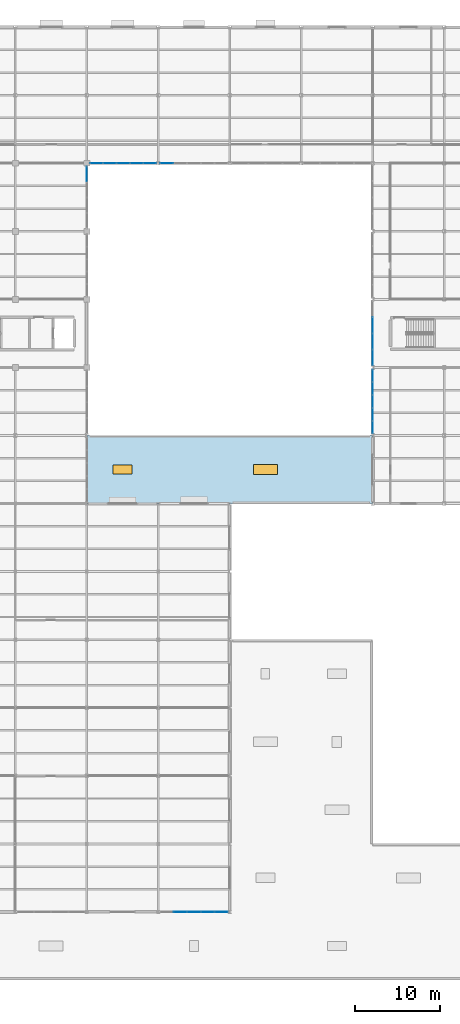
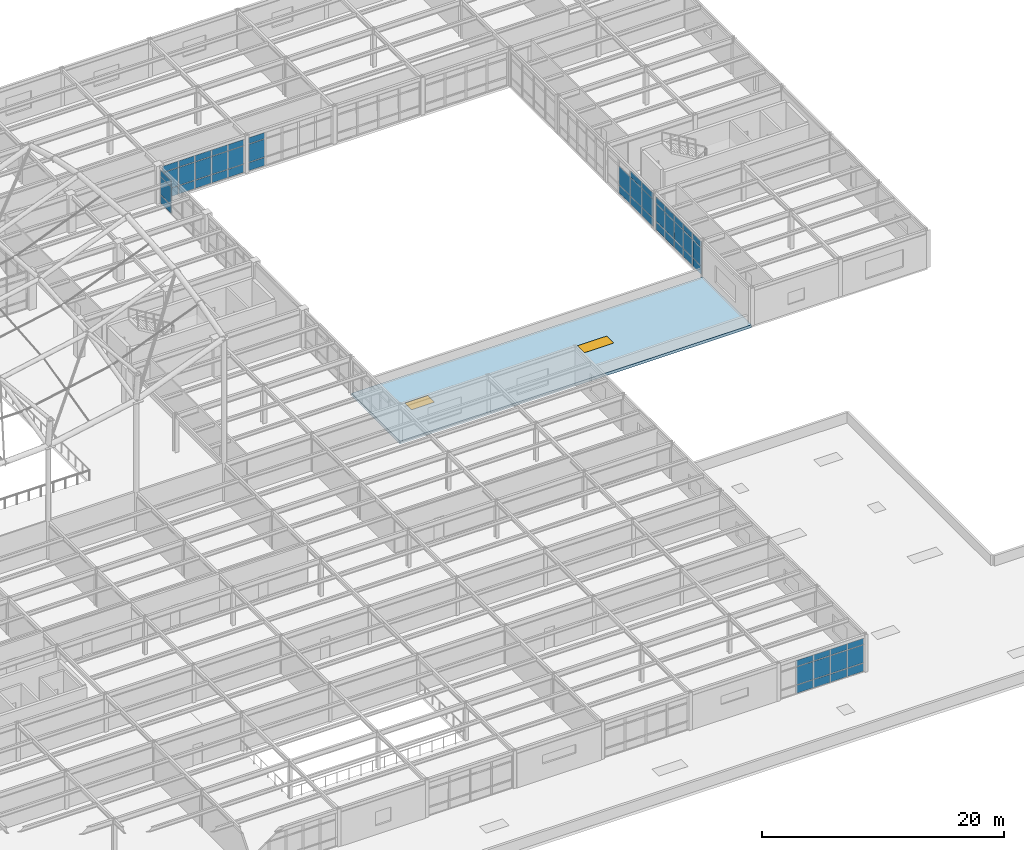
# One storey, part 64 of 138: 56 plates, 2 windows, 1 slab, 2 openings, 6 elements without a shape of their own.
"""IFC4 building model written with IfcOpenShell, lengths in metres."""

from ifc_helpers import new_model, si_unit, direction, frame, origin, origin_2d, place, context, subcontext, project, spatial, polyline, rectangle, outline, extrude, material, layer, layer_set, type_object, element, fill, aggregate, save


model = new_model("IFC4")

# Units and contexts
model_context = context("Model", 3, precision=1e-05, world=origin(), true_north=direction((0.0, 1.0)))
body_context = subcontext(model_context, "Body", "Model", "MODEL_VIEW")
ifc_project = project(units=[si_unit("LENGTHUNIT", "METRE"), si_unit("AREAUNIT", "SQUARE_METRE"), si_unit("VOLUMEUNIT", "CUBIC_METRE"), si_unit("PLANEANGLEUNIT", "RADIAN"), si_unit("MASSUNIT", "GRAM", prefix="KILO")], contexts=[model_context])

# Site, building, storey
site_placement = place(None, origin())
site = spatial("IfcSite", under=ifc_project, at=site_placement, CompositionType="ELEMENT")
building_placement = place(site_placement, origin())
building = spatial("IfcBuilding", under=site, at=building_placement, Name="Kranzveld Transit Interchange", CompositionType="ELEMENT")
storey_placement = place(building_placement, frame((0.0, 0.0, 5.43994140625)))
storey = spatial("IfcBuildingStorey", under=building, at=storey_placement, Name="L01", CompositionType="ELEMENT", Elevation=5.43994140625)

# Slab, openings, windows
ifc_material_1 = material(Name="Concrete C35/45", Category="concrete")
ifc_layer_1 = layer(ifc_material_1, 0.2900390625)
ifc_layer_set_1 = layer_set([ifc_layer_1], Name="Concrete C35/45")
slab_type = type_object("IfcSlabType", Name="Colonnade Roof Slab 290 C35/45", PredefinedType="ROOF", material=ifc_layer_set_1)
slab_placement = place(storey_placement, frame((0.0, 0.0, -0.2900390625)))
slab = element("IfcSlab", 1, at=slab_placement, inside=storey, type_object=slab_type, Name="L01 Flat Roof Slab 1", PredefinedType="ROOF", context=body_context, shape_type="SweptSolid", body=[
    extrude(outline(polyline([(134.39990234375, 56.0), (117.60009765625, 56.0), (117.60009765625, 64.0), (151.199951171875, 64.0), (151.199951171875, 56.0), (134.39990234375, 56.0)]), holes=[polyline([(120.699951171875, 59.449951171875), (122.89990234375, 59.449951171875), (122.89990234375, 60.550048828125), (120.699951171875, 60.550048828125), (120.699951171875, 59.449951171875)]), polyline([(137.199951171875, 59.425048828125), (140.0, 59.425048828125), (140.0, 60.574951171875), (137.199951171875, 60.574951171875), (137.199951171875, 59.425048828125)])]), origin(), (0.0, 0.0, 1.0), 0.2900390625),
])
opening_1_placement = place(slab_placement, frame((121.800048828125, 60.0, 0.0)))
opening_1 = element("IfcOpeningElement", 2, at=opening_1_placement, cuts=slab, Name="Opening SK-01", PredefinedType="OPENING", context=body_context, shape_type="SweptSolid", body=[
    extrude(rectangle(XDim=2.199951171875, YDim=1.10009765625, at=origin_2d()), frame((0.0, 0.0, -0.010009765625)), (0.0, 0.0, 1.0), 0.31005859375),
])
opening_2_placement = place(slab_placement, frame((138.60009765625, 60.0, 0.0)))
opening_2 = element("IfcOpeningElement", 3, at=opening_2_placement, cuts=slab, Name="Opening SK-02", PredefinedType="OPENING", context=body_context, shape_type="SweptSolid", body=[
    extrude(rectangle(XDim=2.800048828125, YDim=1.14990234375, at=origin_2d()), frame((0.0, 0.0, -0.010009765625)), (0.0, 0.0, 1.0), 0.31005859375),
])
ifc_material_2 = material(Name="Solar-control double glazing", Category="glass")
window_type_1 = type_object("IfcWindowType", Name="Roof Skylight Dome 2200x1100", PartitioningType="SINGLE_PANEL", PredefinedType="SKYLIGHT", material=ifc_material_2)
window_1_placement = place(opening_1_placement, frame((0.0, 0.0, 0.239990234375)))
window_1 = element("IfcWindow", 4, at=window_1_placement, inside=storey, type_object=window_type_1, Name="L01 Daylight Roof Skylight 01", OverallHeight=1.10009765625, OverallWidth=2.199951171875, PartitioningType="SINGLE_PANEL", PredefinedType="SKYLIGHT", context=body_context, shape_type="SweptSolid", body=[
    extrude(rectangle(XDim=2.199951171875, YDim=1.10009765625, at=origin_2d()), origin(), (0.0, 0.0, 1.0), 0.050048828125),
])
fill(opening_1, window_1)
ifc_material_3 = material(Name="Solar-control double glazing", Category="glass")
window_type_2 = type_object("IfcWindowType", Name="Roof Skylight Lantern 2800x1150", PartitioningType="DOUBLE_PANEL_VERTICAL", PredefinedType="SKYLIGHT", material=ifc_material_3)
window_2_placement = place(opening_2_placement, frame((0.0, 0.0, 0.239990234375)))
window_2 = element("IfcWindow", 5, at=window_2_placement, inside=storey, type_object=window_type_2, Name="L01 Daylight Roof Skylight 02", OverallHeight=1.14990234375, OverallWidth=2.800048828125, PartitioningType="DOUBLE_PANEL_VERTICAL", PredefinedType="SKYLIGHT", context=body_context, shape_type="SweptSolid", body=[
    extrude(rectangle(XDim=2.800048828125, YDim=1.14990234375, at=origin_2d()), origin(), (0.0, 0.0, 1.0), 0.050048828125),
])
fill(opening_2, window_2)

# Curtain wall, plates
ifc_material_4 = material(Name="Bronze-anodised thermally broken aluminium", Category="aluminium")
ifc_layer_2 = layer(ifc_material_4, 0.159912109375)
ifc_layer_set_2 = layer_set([ifc_layer_2], Name="Bronze-anodised thermally broken aluminium")
curtain_wall_type_1 = type_object("IfcCurtainWallType", Name="Bus Boarding Glazed Screen CW-3", PredefinedType="USERDEFINED", material=ifc_layer_set_2)
curtain_wall_1_placement = place(storey_placement, origin())
curtain_wall_1 = element("IfcCurtainWall", 6, at=curtain_wall_1_placement, inside=storey, type_object=curtain_wall_type_1, Name="L01 Curtain Wall 19/K-19/L", ObjectType="CURTAIN WALL", PredefinedType="USERDEFINED")
ifc_material_5 = material(Name="Solar-control double glazing", Category="glass")
ifc_layer_3 = layer(ifc_material_5, 0.031982421875)
ifc_layer_set_3 = layer_set([ifc_layer_3], Name="Solar-control double glazing")
plate_type_1 = type_object("IfcPlateType", Name="Curtain Panel Acoustic Glazing 32", PredefinedType="CURTAIN_PANEL", material=ifc_layer_set_3)
plate_1_placement = place(storey_placement, frame((151.199951171875, 73.155517578125, 0.06005859375), z_axis=(0.0, 0.0, 1.0), x_axis=(0.0, 1.0, 0.0)))
plate_1 = element("IfcPlate", 7, at=plate_1_placement, type_object=plate_type_1, Name="CW-3 panel 1.1", PredefinedType="CURTAIN_PANEL", context=body_context, shape_type="SweptSolid", body=[
    extrude(rectangle(XDim=1.81640625, YDim=0.031982421875, at=origin_2d()), origin(), (0.0, 0.0, 1.0), 0.81005859375),
])
plate_2_placement = place(storey_placement, frame((151.199951171875, 73.155517578125, 0.93017578125), z_axis=(0.0, 0.0, 1.0), x_axis=(0.0, 1.0, 0.0)))
plate_2 = element("IfcPlate", 8, at=plate_2_placement, type_object=plate_type_1, Name="CW-3 panel 1.2", PredefinedType="CURTAIN_PANEL", context=body_context, shape_type="SweptSolid", body=[
    extrude(rectangle(XDim=1.81640625, YDim=0.031982421875, at=origin_2d()), origin(), (0.0, 0.0, 1.0), 1.840087890625),
])
plate_3_placement = place(storey_placement, frame((151.199951171875, 73.155517578125, 2.830078125), z_axis=(0.0, 0.0, 1.0), x_axis=(0.0, 1.0, 0.0)))
plate_3 = element("IfcPlate", 9, at=plate_3_placement, type_object=plate_type_1, Name="CW-3 panel 1.3", PredefinedType="CURTAIN_PANEL", context=body_context, shape_type="SweptSolid", body=[
    extrude(rectangle(XDim=1.81640625, YDim=0.031982421875, at=origin_2d()), origin(), (0.0, 0.0, 1.0), 0.610107421875),
])
plate_4_placement = place(storey_placement, frame((151.199951171875, 75.046875, 0.06005859375), z_axis=(0.0, 0.0, 1.0), x_axis=(0.0, 1.0, 0.0)))
plate_4 = element("IfcPlate", 10, at=plate_4_placement, type_object=plate_type_1, Name="CW-3 panel 2.1", PredefinedType="CURTAIN_PANEL", context=body_context, shape_type="SweptSolid", body=[
    extrude(rectangle(XDim=1.846435546875, YDim=0.031982421875, at=origin_2d()), origin(), (0.0, 0.0, 1.0), 0.81005859375),
])
plate_5_placement = place(storey_placement, frame((151.199951171875, 75.046875, 0.93017578125), z_axis=(0.0, 0.0, 1.0), x_axis=(0.0, 1.0, 0.0)))
plate_5 = element("IfcPlate", 11, at=plate_5_placement, type_object=plate_type_1, Name="CW-3 panel 2.2", PredefinedType="CURTAIN_PANEL", context=body_context, shape_type="SweptSolid", body=[
    extrude(rectangle(XDim=1.846435546875, YDim=0.031982421875, at=origin_2d()), origin(), (0.0, 0.0, 1.0), 1.840087890625),
])
plate_6_placement = place(storey_placement, frame((151.199951171875, 75.046875, 2.830078125), z_axis=(0.0, 0.0, 1.0), x_axis=(0.0, 1.0, 0.0)))
plate_6 = element("IfcPlate", 12, at=plate_6_placement, type_object=plate_type_1, Name="CW-3 panel 2.3", PredefinedType="CURTAIN_PANEL", context=body_context, shape_type="SweptSolid", body=[
    extrude(rectangle(XDim=1.846435546875, YDim=0.031982421875, at=origin_2d()), origin(), (0.0, 0.0, 1.0), 0.610107421875),
])
plate_7_placement = place(storey_placement, frame((151.199951171875, 76.953125, 0.06005859375), z_axis=(0.0, 0.0, 1.0), x_axis=(0.0, 1.0, 0.0)))
plate_7 = element("IfcPlate", 13, at=plate_7_placement, type_object=plate_type_1, Name="CW-3 panel 3.1", PredefinedType="CURTAIN_PANEL", context=body_context, shape_type="SweptSolid", body=[
    extrude(rectangle(XDim=1.846435546875, YDim=0.031982421875, at=origin_2d()), origin(), (0.0, 0.0, 1.0), 0.81005859375),
])
plate_8_placement = place(storey_placement, frame((151.199951171875, 76.953125, 0.93017578125), z_axis=(0.0, 0.0, 1.0), x_axis=(0.0, 1.0, 0.0)))
plate_8 = element("IfcPlate", 14, at=plate_8_placement, type_object=plate_type_1, Name="CW-3 panel 3.2", PredefinedType="CURTAIN_PANEL", context=body_context, shape_type="SweptSolid", body=[
    extrude(rectangle(XDim=1.846435546875, YDim=0.031982421875, at=origin_2d()), origin(), (0.0, 0.0, 1.0), 1.840087890625),
])
aggregate(curtain_wall_1, [plate_1, plate_2, plate_3, plate_4, plate_5, plate_6, plate_7, plate_8])

ifc_material_6 = material(Name="Bronze-anodised thermally broken aluminium", Category="aluminium")
ifc_layer_4 = layer(ifc_material_6, 0.1650390625)
ifc_layer_set_4 = layer_set([ifc_layer_4], Name="Bronze-anodised thermally broken aluminium")
curtain_wall_type_2 = type_object("IfcCurtainWallType", Name="Sunny Court Arcade Curtain Wall CW-2", PredefinedType="USERDEFINED", material=ifc_layer_set_4)
curtain_wall_2_placement = place(storey_placement, origin())
curtain_wall_2 = element("IfcCurtainWall", 15, at=curtain_wall_2_placement, inside=storey, type_object=curtain_wall_type_2, Name="L01 Curtain Wall 19/J-19/K", ObjectType="CURTAIN WALL", PredefinedType="USERDEFINED")
ifc_material_7 = material(Name="Solar-control double glazing", Category="glass")
ifc_layer_5 = layer(ifc_material_7, 0.02392578125)
ifc_layer_set_5 = layer_set([ifc_layer_5], Name="Solar-control double glazing")
plate_type_2 = type_object("IfcPlateType", Name="Curtain Panel Clear Glazing 24", PredefinedType="CURTAIN_PANEL", material=ifc_layer_set_5)
plate_9_placement = place(storey_placement, frame((151.199951171875, 64.966064453125, 0.06005859375), z_axis=(0.0, 0.0, 1.0), x_axis=(0.0, 1.0, 0.0)))
plate_9 = element("IfcPlate", 16, at=plate_9_placement, type_object=plate_type_2, Name="CW-2 panel 1.1", PredefinedType="CURTAIN_PANEL", context=body_context, shape_type="SweptSolid", body=[
    extrude(rectangle(XDim=1.427490234375, YDim=0.02392578125, at=origin_2d()), origin(), (0.0, 0.0, 1.0), 0.81005859375),
])
plate_10_placement = place(storey_placement, frame((151.199951171875, 64.966064453125, 0.93017578125), z_axis=(0.0, 0.0, 1.0), x_axis=(0.0, 1.0, 0.0)))
plate_10 = element("IfcPlate", 17, at=plate_10_placement, type_object=plate_type_2, Name="CW-2 panel 1.2", PredefinedType="CURTAIN_PANEL", context=body_context, shape_type="SweptSolid", body=[
    extrude(rectangle(XDim=1.427490234375, YDim=0.02392578125, at=origin_2d()), origin(), (0.0, 0.0, 1.0), 1.781982421875),
])
plate_11_placement = place(storey_placement, frame((151.199951171875, 64.966064453125, 2.77197265625), z_axis=(0.0, 0.0, 1.0), x_axis=(0.0, 1.0, 0.0)))
plate_11 = element("IfcPlate", 18, at=plate_11_placement, type_object=plate_type_2, Name="CW-2 panel 1.3", PredefinedType="CURTAIN_PANEL", context=body_context, shape_type="SweptSolid", body=[
    extrude(rectangle(XDim=1.427490234375, YDim=0.02392578125, at=origin_2d()), origin(), (0.0, 0.0, 1.0), 0.610107421875),
])
plate_12_placement = place(storey_placement, frame((151.199951171875, 66.474853515625, 0.06005859375), z_axis=(0.0, 0.0, 1.0), x_axis=(0.0, 1.0, 0.0)))
plate_12 = element("IfcPlate", 19, at=plate_12_placement, type_object=plate_type_2, Name="CW-2 panel 2.1", PredefinedType="CURTAIN_PANEL", context=body_context, shape_type="SweptSolid", body=[
    extrude(rectangle(XDim=1.4599609375, YDim=0.02392578125, at=origin_2d()), origin(), (0.0, 0.0, 1.0), 0.81005859375),
])
plate_13_placement = place(storey_placement, frame((151.199951171875, 66.474853515625, 0.93017578125), z_axis=(0.0, 0.0, 1.0), x_axis=(0.0, 1.0, 0.0)))
plate_13 = element("IfcPlate", 20, at=plate_13_placement, type_object=plate_type_2, Name="CW-2 panel 2.2", PredefinedType="CURTAIN_PANEL", context=body_context, shape_type="SweptSolid", body=[
    extrude(rectangle(XDim=1.4599609375, YDim=0.02392578125, at=origin_2d()), origin(), (0.0, 0.0, 1.0), 1.781982421875),
])
plate_14_placement = place(storey_placement, frame((151.199951171875, 66.474853515625, 2.77197265625), z_axis=(0.0, 0.0, 1.0), x_axis=(0.0, 1.0, 0.0)))
plate_14 = element("IfcPlate", 21, at=plate_14_placement, type_object=plate_type_2, Name="CW-2 panel 2.3", PredefinedType="CURTAIN_PANEL", context=body_context, shape_type="SweptSolid", body=[
    extrude(rectangle(XDim=1.4599609375, YDim=0.02392578125, at=origin_2d()), origin(), (0.0, 0.0, 1.0), 0.610107421875),
])
plate_15_placement = place(storey_placement, frame((151.199951171875, 68.0, 0.06005859375), z_axis=(0.0, 0.0, 1.0), x_axis=(0.0, 1.0, 0.0)))
plate_15 = element("IfcPlate", 22, at=plate_15_placement, type_object=plate_type_2, Name="CW-2 panel 3.1", PredefinedType="CURTAIN_PANEL", context=body_context, shape_type="SweptSolid", body=[
    extrude(rectangle(XDim=1.4599609375, YDim=0.02392578125, at=origin_2d()), origin(), (0.0, 0.0, 1.0), 0.81005859375),
])
plate_16_placement = place(storey_placement, frame((151.199951171875, 68.0, 0.93017578125), z_axis=(0.0, 0.0, 1.0), x_axis=(0.0, 1.0, 0.0)))
plate_16 = element("IfcPlate", 23, at=plate_16_placement, type_object=plate_type_2, Name="CW-2 panel 3.2", PredefinedType="CURTAIN_PANEL", context=body_context, shape_type="SweptSolid", body=[
    extrude(rectangle(XDim=1.4599609375, YDim=0.02392578125, at=origin_2d()), origin(), (0.0, 0.0, 1.0), 1.781982421875),
])
plate_17_placement = place(storey_placement, frame((151.199951171875, 68.0, 2.77197265625), z_axis=(0.0, 0.0, 1.0), x_axis=(0.0, 1.0, 0.0)))
plate_17 = element("IfcPlate", 24, at=plate_17_placement, type_object=plate_type_2, Name="CW-2 panel 3.3", PredefinedType="CURTAIN_PANEL", context=body_context, shape_type="SweptSolid", body=[
    extrude(rectangle(XDim=1.4599609375, YDim=0.02392578125, at=origin_2d()), origin(), (0.0, 0.0, 1.0), 0.610107421875),
])
plate_18_placement = place(storey_placement, frame((151.199951171875, 69.525146484375, 0.06005859375), z_axis=(0.0, 0.0, 1.0), x_axis=(0.0, 1.0, 0.0)))
plate_18 = element("IfcPlate", 25, at=plate_18_placement, type_object=plate_type_2, Name="CW-2 panel 4.1", PredefinedType="CURTAIN_PANEL", context=body_context, shape_type="SweptSolid", body=[
    extrude(rectangle(XDim=1.4599609375, YDim=0.02392578125, at=origin_2d()), origin(), (0.0, 0.0, 1.0), 0.81005859375),
])
plate_19_placement = place(storey_placement, frame((151.199951171875, 69.525146484375, 0.93017578125), z_axis=(0.0, 0.0, 1.0), x_axis=(0.0, 1.0, 0.0)))
plate_19 = element("IfcPlate", 26, at=plate_19_placement, type_object=plate_type_2, Name="CW-2 panel 4.2", PredefinedType="CURTAIN_PANEL", context=body_context, shape_type="SweptSolid", body=[
    extrude(rectangle(XDim=1.4599609375, YDim=0.02392578125, at=origin_2d()), origin(), (0.0, 0.0, 1.0), 1.781982421875),
])
plate_20_placement = place(storey_placement, frame((151.199951171875, 69.525146484375, 2.77197265625), z_axis=(0.0, 0.0, 1.0), x_axis=(0.0, 1.0, 0.0)))
plate_20 = element("IfcPlate", 27, at=plate_20_placement, type_object=plate_type_2, Name="CW-2 panel 4.3", PredefinedType="CURTAIN_PANEL", context=body_context, shape_type="SweptSolid", body=[
    extrude(rectangle(XDim=1.4599609375, YDim=0.02392578125, at=origin_2d()), origin(), (0.0, 0.0, 1.0), 0.610107421875),
])
plate_21_placement = place(storey_placement, frame((151.199951171875, 71.033935546875, 0.06005859375), z_axis=(0.0, 0.0, 1.0), x_axis=(0.0, 1.0, 0.0)))
plate_21 = element("IfcPlate", 28, at=plate_21_placement, type_object=plate_type_2, Name="CW-2 panel 5.1", PredefinedType="CURTAIN_PANEL", context=body_context, shape_type="SweptSolid", body=[
    extrude(rectangle(XDim=1.427490234375, YDim=0.02392578125, at=origin_2d()), origin(), (0.0, 0.0, 1.0), 0.81005859375),
])
plate_22_placement = place(storey_placement, frame((151.199951171875, 71.033935546875, 0.93017578125), z_axis=(0.0, 0.0, 1.0), x_axis=(0.0, 1.0, 0.0)))
plate_22 = element("IfcPlate", 29, at=plate_22_placement, type_object=plate_type_2, Name="CW-2 panel 5.2", PredefinedType="CURTAIN_PANEL", context=body_context, shape_type="SweptSolid", body=[
    extrude(rectangle(XDim=1.427490234375, YDim=0.02392578125, at=origin_2d()), origin(), (0.0, 0.0, 1.0), 1.781982421875),
])
plate_23_placement = place(storey_placement, frame((151.199951171875, 71.033935546875, 2.77197265625), z_axis=(0.0, 0.0, 1.0), x_axis=(0.0, 1.0, 0.0)))
plate_23 = element("IfcPlate", 30, at=plate_23_placement, type_object=plate_type_2, Name="CW-2 panel 5.3", PredefinedType="CURTAIN_PANEL", context=body_context, shape_type="SweptSolid", body=[
    extrude(rectangle(XDim=1.427490234375, YDim=0.02392578125, at=origin_2d()), origin(), (0.0, 0.0, 1.0), 0.610107421875),
])
aggregate(curtain_wall_2, [plate_9, plate_10, plate_11, plate_12, plate_13, plate_14, plate_15, plate_16, plate_17, plate_18, plate_19, plate_20, plate_21, plate_22, plate_23])

curtain_wall_3_placement = place(storey_placement, origin())
curtain_wall_3 = element("IfcCurtainWall", 31, at=curtain_wall_3_placement, inside=storey, type_object=curtain_wall_type_2, Name="L01 Curtain Wall 16/B-17/B", ObjectType="CURTAIN WALL", PredefinedType="USERDEFINED")
plate_24_placement = place(storey_placement, frame((128.581787109375, 8.0, 0.06005859375), z_axis=(0.0, 0.0, 1.0), x_axis=(1.0, 0.0, 0.0)))
plate_24 = element("IfcPlate", 32, at=plate_24_placement, type_object=plate_type_2, Name="CW-2 panel 2.1", PredefinedType="CURTAIN_PANEL", context=body_context, shape_type="SweptSolid", body=[
    extrude(rectangle(XDim=1.55322265625, YDim=0.02392578125, at=origin_2d()), origin(), (0.0, 0.0, 1.0), 0.81005859375),
])
plate_25_placement = place(storey_placement, frame((128.581787109375, 8.0, 0.929931640625), z_axis=(0.0, 0.0, 1.0), x_axis=(1.0, 0.0, 0.0)))
plate_25 = element("IfcPlate", 33, at=plate_25_placement, type_object=plate_type_2, Name="CW-2 panel 2.2", PredefinedType="CURTAIN_PANEL", context=body_context, shape_type="SweptSolid", body=[
    extrude(rectangle(XDim=1.55322265625, YDim=0.02392578125, at=origin_2d()), origin(), (0.0, 0.0, 1.0), 1.7900390625),
])
plate_26_placement = place(storey_placement, frame((128.581787109375, 8.0, 2.77978515625), z_axis=(0.0, 0.0, 1.0), x_axis=(1.0, 0.0, 0.0)))
plate_26 = element("IfcPlate", 34, at=plate_26_placement, type_object=plate_type_2, Name="CW-2 panel 2.3", PredefinedType="CURTAIN_PANEL", context=body_context, shape_type="SweptSolid", body=[
    extrude(rectangle(XDim=1.55322265625, YDim=0.02392578125, at=origin_2d()), origin(), (0.0, 0.0, 1.0), 0.610107421875),
])
plate_27_placement = place(storey_placement, frame((130.199951171875, 8.0, 0.06005859375), z_axis=(0.0, 0.0, 1.0), x_axis=(1.0, 0.0, 0.0)))
plate_27 = element("IfcPlate", 35, at=plate_27_placement, type_object=plate_type_2, Name="CW-2 panel 3.1", PredefinedType="CURTAIN_PANEL", context=body_context, shape_type="SweptSolid", body=[
    extrude(rectangle(XDim=1.55322265625, YDim=0.02392578125, at=origin_2d()), origin(), (0.0, 0.0, 1.0), 0.81005859375),
])
plate_28_placement = place(storey_placement, frame((130.199951171875, 8.0, 0.929931640625), z_axis=(0.0, 0.0, 1.0), x_axis=(1.0, 0.0, 0.0)))
plate_28 = element("IfcPlate", 36, at=plate_28_placement, type_object=plate_type_2, Name="CW-2 panel 3.2", PredefinedType="CURTAIN_PANEL", context=body_context, shape_type="SweptSolid", body=[
    extrude(rectangle(XDim=1.55322265625, YDim=0.02392578125, at=origin_2d()), origin(), (0.0, 0.0, 1.0), 1.7900390625),
])
plate_29_placement = place(storey_placement, frame((130.199951171875, 8.0, 2.77978515625), z_axis=(0.0, 0.0, 1.0), x_axis=(1.0, 0.0, 0.0)))
plate_29 = element("IfcPlate", 37, at=plate_29_placement, type_object=plate_type_2, Name="CW-2 panel 3.3", PredefinedType="CURTAIN_PANEL", context=body_context, shape_type="SweptSolid", body=[
    extrude(rectangle(XDim=1.55322265625, YDim=0.02392578125, at=origin_2d()), origin(), (0.0, 0.0, 1.0), 0.610107421875),
])
plate_30_placement = place(storey_placement, frame((131.818115234375, 8.0, 0.06005859375), z_axis=(0.0, 0.0, 1.0), x_axis=(1.0, 0.0, 0.0)))
plate_30 = element("IfcPlate", 38, at=plate_30_placement, type_object=plate_type_2, Name="CW-2 panel 4.1", PredefinedType="CURTAIN_PANEL", context=body_context, shape_type="SweptSolid", body=[
    extrude(rectangle(XDim=1.55322265625, YDim=0.02392578125, at=origin_2d()), origin(), (0.0, 0.0, 1.0), 0.81005859375),
])
plate_31_placement = place(storey_placement, frame((131.818115234375, 8.0, 0.929931640625), z_axis=(0.0, 0.0, 1.0), x_axis=(1.0, 0.0, 0.0)))
plate_31 = element("IfcPlate", 39, at=plate_31_placement, type_object=plate_type_2, Name="CW-2 panel 4.2", PredefinedType="CURTAIN_PANEL", context=body_context, shape_type="SweptSolid", body=[
    extrude(rectangle(XDim=1.55322265625, YDim=0.02392578125, at=origin_2d()), origin(), (0.0, 0.0, 1.0), 1.7900390625),
])
plate_32_placement = place(storey_placement, frame((131.818115234375, 8.0, 2.77978515625), z_axis=(0.0, 0.0, 1.0), x_axis=(1.0, 0.0, 0.0)))
plate_32 = element("IfcPlate", 40, at=plate_32_placement, type_object=plate_type_2, Name="CW-2 panel 4.3", PredefinedType="CURTAIN_PANEL", context=body_context, shape_type="SweptSolid", body=[
    extrude(rectangle(XDim=1.55322265625, YDim=0.02392578125, at=origin_2d()), origin(), (0.0, 0.0, 1.0), 0.610107421875),
])
plate_33_placement = place(storey_placement, frame((133.420166015625, 8.0, 0.06005859375), z_axis=(0.0, 0.0, 1.0), x_axis=(1.0, 0.0, 0.0)))
plate_33 = element("IfcPlate", 41, at=plate_33_placement, type_object=plate_type_2, Name="CW-2 panel 5.1", PredefinedType="CURTAIN_PANEL", context=body_context, shape_type="SweptSolid", body=[
    extrude(rectangle(XDim=1.520751953125, YDim=0.02392578125, at=origin_2d()), origin(), (0.0, 0.0, 1.0), 0.81005859375),
])
plate_34_placement = place(storey_placement, frame((133.420166015625, 8.0, 0.929931640625), z_axis=(0.0, 0.0, 1.0), x_axis=(1.0, 0.0, 0.0)))
plate_34 = element("IfcPlate", 42, at=plate_34_placement, type_object=plate_type_2, Name="CW-2 panel 5.2", PredefinedType="CURTAIN_PANEL", context=body_context, shape_type="SweptSolid", body=[
    extrude(rectangle(XDim=1.520751953125, YDim=0.02392578125, at=origin_2d()), origin(), (0.0, 0.0, 1.0), 1.7900390625),
])
plate_35_placement = place(storey_placement, frame((133.420166015625, 8.0, 2.77978515625), z_axis=(0.0, 0.0, 1.0), x_axis=(1.0, 0.0, 0.0)))
plate_35 = element("IfcPlate", 43, at=plate_35_placement, type_object=plate_type_2, Name="CW-2 panel 5.3", PredefinedType="CURTAIN_PANEL", context=body_context, shape_type="SweptSolid", body=[
    extrude(rectangle(XDim=1.520751953125, YDim=0.02392578125, at=origin_2d()), origin(), (0.0, 0.0, 1.0), 0.610107421875),
])
aggregate(curtain_wall_3, [plate_24, plate_25, plate_26, plate_27, plate_28, plate_29, plate_30, plate_31, plate_32, plate_33, plate_34, plate_35])

ifc_material_8 = material(Name="Bronze-anodised thermally broken aluminium", Category="aluminium")
ifc_layer_6 = layer(ifc_material_8, 0.18505859375)
ifc_layer_set_6 = layer_set([ifc_layer_6], Name="Bronze-anodised thermally broken aluminium")
curtain_wall_type_3 = type_object("IfcCurtainWallType", Name="Control Crown Observation Facade CW-5", PredefinedType="USERDEFINED", material=ifc_layer_set_6)
curtain_wall_4_placement = place(storey_placement, origin())
curtain_wall_4 = element("IfcCurtainWall", 44, at=curtain_wall_4_placement, inside=storey, type_object=curtain_wall_type_3, Name="L01 Curtain Wall 15/M-15/N", ObjectType="CURTAIN WALL", PredefinedType="USERDEFINED")
ifc_material_9 = material(Name="Solar-control double glazing", Category="glass")
ifc_layer_7 = layer(ifc_material_9, 0.035888671875)
ifc_layer_set_7 = layer_set([ifc_layer_7], Name="Solar-control double glazing")
plate_type_3 = type_object("IfcPlateType", Name="Curtain Panel Triple Glazing 36", PredefinedType="CURTAIN_PANEL", material=ifc_layer_set_7)
plate_36_placement = place(storey_placement, frame((117.60009765625, 94.72119140625, 0.06494140625), z_axis=(0.0, 0.0, 1.0), x_axis=(0.0, 1.0, 0.0)))
plate_36 = element("IfcPlate", 45, at=plate_36_placement, type_object=plate_type_3, Name="CW-5 panel 4.1", PredefinedType="CURTAIN_PANEL", context=body_context, shape_type="SweptSolid", body=[
    extrude(rectangle(XDim=1.7275390625, YDim=0.035888671875, at=origin_2d()), origin(), (0.0, 0.0, 1.0), 0.802490234375),
])
plate_37_placement = place(storey_placement, frame((117.60009765625, 94.72119140625, 0.9326171875), z_axis=(0.0, 0.0, 1.0), x_axis=(0.0, 1.0, 0.0)))
plate_37 = element("IfcPlate", 46, at=plate_37_placement, type_object=plate_type_3, Name="CW-5 panel 4.2", PredefinedType="CURTAIN_PANEL", context=body_context, shape_type="SweptSolid", body=[
    extrude(rectangle(XDim=1.7275390625, YDim=0.035888671875, at=origin_2d()), origin(), (0.0, 0.0, 1.0), 1.777099609375),
])
plate_38_placement = place(storey_placement, frame((117.60009765625, 94.72119140625, 2.774658203125), z_axis=(0.0, 0.0, 1.0), x_axis=(0.0, 1.0, 0.0)))
plate_38 = element("IfcPlate", 47, at=plate_38_placement, type_object=plate_type_3, Name="CW-5 panel 4.3", PredefinedType="CURTAIN_PANEL", context=body_context, shape_type="SweptSolid", body=[
    extrude(rectangle(XDim=1.7275390625, YDim=0.035888671875, at=origin_2d()), origin(), (0.0, 0.0, 1.0), 0.6025390625),
])
aggregate(curtain_wall_4, [plate_36, plate_37, plate_38])

curtain_wall_5_placement = place(storey_placement, origin())
curtain_wall_5 = element("IfcCurtainWall", 48, at=curtain_wall_5_placement, inside=storey, type_object=curtain_wall_type_2, Name="L01 Curtain Wall 16/N-17/N", ObjectType="CURTAIN WALL", PredefinedType="USERDEFINED")
ifc_material_10 = material(Name="Pretoria red-purple clinker clay face brick, 35 MPa", Category="masonry")
ifc_layer_8 = layer(ifc_material_10, 0.050048828125)
ifc_layer_set_8 = layer_set([ifc_layer_8], Name="Pretoria red-purple clinker clay face brick, 35 MPa")
plate_type_4 = type_object("IfcPlateType", Name="Curtain Spandrel Clinker Tile 50", PredefinedType="CURTAIN_PANEL", material=ifc_layer_set_8)
plate_39_placement = place(storey_placement, frame((127.006103515625, 96.0, 0.06005859375), z_axis=(0.0, 0.0, 1.0), x_axis=(1.0, 0.0, 0.0)))
plate_39 = element("IfcPlate", 49, at=plate_39_placement, type_object=plate_type_4, Name="CW-2 panel 1.1", PredefinedType="CURTAIN_PANEL", context=body_context, shape_type="SweptSolid", body=[
    extrude(rectangle(XDim=1.507568359375, YDim=0.050048828125, at=origin_2d()), origin(), (0.0, 0.0, 1.0), 0.81005859375),
])
plate_40_placement = place(storey_placement, frame((127.006103515625, 96.0, 0.929931640625), z_axis=(0.0, 0.0, 1.0), x_axis=(1.0, 0.0, 0.0)))
plate_40 = element("IfcPlate", 50, at=plate_40_placement, type_object=plate_type_4, Name="CW-2 panel 1.2", PredefinedType="CURTAIN_PANEL", context=body_context, shape_type="SweptSolid", body=[
    extrude(rectangle(XDim=1.507568359375, YDim=0.050048828125, at=origin_2d()), origin(), (0.0, 0.0, 1.0), 1.7900390625),
])
plate_41_placement = place(storey_placement, frame((127.006103515625, 96.0, 2.77978515625), z_axis=(0.0, 0.0, 1.0), x_axis=(1.0, 0.0, 0.0)))
plate_41 = element("IfcPlate", 51, at=plate_41_placement, type_object=plate_type_4, Name="CW-2 panel 1.3", PredefinedType="CURTAIN_PANEL", context=body_context, shape_type="SweptSolid", body=[
    extrude(rectangle(XDim=1.507568359375, YDim=0.050048828125, at=origin_2d()), origin(), (0.0, 0.0, 1.0), 0.610107421875),
])
aggregate(curtain_wall_5, [plate_39, plate_40, plate_41])

ifc_material_11 = material(Name="Bronze-anodised thermally broken aluminium", Category="aluminium")
ifc_layer_9 = layer(ifc_material_11, 0.155029296875)
ifc_layer_set_9 = layer_set([ifc_layer_9], Name="Bronze-anodised thermally broken aluminium")
curtain_wall_type_4 = type_object("IfcCurtainWallType", Name="Operations Courtyard Glazed Screen CW-6", PredefinedType="USERDEFINED", material=ifc_layer_set_9)
curtain_wall_6_placement = place(storey_placement, origin())
curtain_wall_6 = element("IfcCurtainWall", 52, at=curtain_wall_6_placement, inside=storey, type_object=curtain_wall_type_4, Name="L01 Curtain Wall 15/N-16/N", ObjectType="CURTAIN WALL", PredefinedType="USERDEFINED")
ifc_material_12 = material(Name="Ochre Pretoria sandstone cladding, 45 MPa", Category="masonry")
ifc_layer_10 = layer(ifc_material_12, 0.0458984375)
ifc_layer_set_10 = layer_set([ifc_layer_10], Name="Ochre Pretoria sandstone cladding, 45 MPa")
plate_type_5 = type_object("IfcPlateType", Name="Curtain Spandrel Sandstone 46", PredefinedType="CURTAIN_PANEL", material=ifc_layer_set_10)
plate_42_placement = place(storey_placement, frame((118.75244140625, 96.0, 0.06005859375), z_axis=(0.0, 0.0, 1.0), x_axis=(1.0, 0.0, 0.0)))
plate_42 = element("IfcPlate", 53, at=plate_42_placement, type_object=plate_type_5, Name="CW-6 panel 1.1", PredefinedType="CURTAIN_PANEL", context=body_context, shape_type="SweptSolid", body=[
    extrude(rectangle(XDim=1.47509765625, YDim=0.0458984375, at=origin_2d()), origin(), (0.0, 0.0, 1.0), 0.81005859375),
])
plate_43_placement = place(storey_placement, frame((118.75244140625, 96.0, 0.929931640625), z_axis=(0.0, 0.0, 1.0), x_axis=(1.0, 0.0, 0.0)))
plate_43 = element("IfcPlate", 54, at=plate_43_placement, type_object=plate_type_5, Name="CW-6 panel 1.2", PredefinedType="CURTAIN_PANEL", context=body_context, shape_type="SweptSolid", body=[
    extrude(rectangle(XDim=1.47509765625, YDim=0.0458984375, at=origin_2d()), origin(), (0.0, 0.0, 1.0), 1.7900390625),
])
plate_44_placement = place(storey_placement, frame((118.75244140625, 96.0, 2.77978515625), z_axis=(0.0, 0.0, 1.0), x_axis=(1.0, 0.0, 0.0)))
plate_44 = element("IfcPlate", 55, at=plate_44_placement, type_object=plate_type_5, Name="CW-6 panel 1.3", PredefinedType="CURTAIN_PANEL", context=body_context, shape_type="SweptSolid", body=[
    extrude(rectangle(XDim=1.47509765625, YDim=0.0458984375, at=origin_2d()), origin(), (0.0, 0.0, 1.0), 0.610107421875),
])
plate_45_placement = place(storey_placement, frame((120.308837890625, 96.0, 0.06005859375), z_axis=(0.0, 0.0, 1.0), x_axis=(1.0, 0.0, 0.0)))
plate_45 = element("IfcPlate", 56, at=plate_45_placement, type_object=plate_type_5, Name="CW-6 panel 2.1", PredefinedType="CURTAIN_PANEL", context=body_context, shape_type="SweptSolid", body=[
    extrude(rectangle(XDim=1.507568359375, YDim=0.0458984375, at=origin_2d()), origin(), (0.0, 0.0, 1.0), 0.81005859375),
])
plate_46_placement = place(storey_placement, frame((120.308837890625, 96.0, 0.929931640625), z_axis=(0.0, 0.0, 1.0), x_axis=(1.0, 0.0, 0.0)))
plate_46 = element("IfcPlate", 57, at=plate_46_placement, type_object=plate_type_5, Name="CW-6 panel 2.2", PredefinedType="CURTAIN_PANEL", context=body_context, shape_type="SweptSolid", body=[
    extrude(rectangle(XDim=1.507568359375, YDim=0.0458984375, at=origin_2d()), origin(), (0.0, 0.0, 1.0), 1.7900390625),
])
plate_47_placement = place(storey_placement, frame((120.308837890625, 96.0, 2.77978515625), z_axis=(0.0, 0.0, 1.0), x_axis=(1.0, 0.0, 0.0)))
plate_47 = element("IfcPlate", 58, at=plate_47_placement, type_object=plate_type_5, Name="CW-6 panel 2.3", PredefinedType="CURTAIN_PANEL", context=body_context, shape_type="SweptSolid", body=[
    extrude(rectangle(XDim=1.507568359375, YDim=0.0458984375, at=origin_2d()), origin(), (0.0, 0.0, 1.0), 0.610107421875),
])
plate_48_placement = place(storey_placement, frame((121.88134765625, 96.0, 0.06005859375), z_axis=(0.0, 0.0, 1.0), x_axis=(1.0, 0.0, 0.0)))
plate_48 = element("IfcPlate", 59, at=plate_48_placement, type_object=plate_type_5, Name="CW-6 panel 3.1", PredefinedType="CURTAIN_PANEL", context=body_context, shape_type="SweptSolid", body=[
    extrude(rectangle(XDim=1.507568359375, YDim=0.0458984375, at=origin_2d()), origin(), (0.0, 0.0, 1.0), 0.81005859375),
])
plate_49_placement = place(storey_placement, frame((121.88134765625, 96.0, 0.929931640625), z_axis=(0.0, 0.0, 1.0), x_axis=(1.0, 0.0, 0.0)))
plate_49 = element("IfcPlate", 60, at=plate_49_placement, type_object=plate_type_5, Name="CW-6 panel 3.2", PredefinedType="CURTAIN_PANEL", context=body_context, shape_type="SweptSolid", body=[
    extrude(rectangle(XDim=1.507568359375, YDim=0.0458984375, at=origin_2d()), origin(), (0.0, 0.0, 1.0), 1.7900390625),
])
plate_50_placement = place(storey_placement, frame((121.88134765625, 96.0, 2.77978515625), z_axis=(0.0, 0.0, 1.0), x_axis=(1.0, 0.0, 0.0)))
plate_50 = element("IfcPlate", 61, at=plate_50_placement, type_object=plate_type_5, Name="CW-6 panel 3.3", PredefinedType="CURTAIN_PANEL", context=body_context, shape_type="SweptSolid", body=[
    extrude(rectangle(XDim=1.507568359375, YDim=0.0458984375, at=origin_2d()), origin(), (0.0, 0.0, 1.0), 0.610107421875),
])
plate_51_placement = place(storey_placement, frame((123.453857421875, 96.0, 0.06005859375), z_axis=(0.0, 0.0, 1.0), x_axis=(1.0, 0.0, 0.0)))
plate_51 = element("IfcPlate", 62, at=plate_51_placement, type_object=plate_type_5, Name="CW-6 panel 4.1", PredefinedType="CURTAIN_PANEL", context=body_context, shape_type="SweptSolid", body=[
    extrude(rectangle(XDim=1.507568359375, YDim=0.0458984375, at=origin_2d()), origin(), (0.0, 0.0, 1.0), 0.81005859375),
])
plate_52_placement = place(storey_placement, frame((123.453857421875, 96.0, 0.929931640625), z_axis=(0.0, 0.0, 1.0), x_axis=(1.0, 0.0, 0.0)))
plate_52 = element("IfcPlate", 63, at=plate_52_placement, type_object=plate_type_5, Name="CW-6 panel 4.2", PredefinedType="CURTAIN_PANEL", context=body_context, shape_type="SweptSolid", body=[
    extrude(rectangle(XDim=1.507568359375, YDim=0.0458984375, at=origin_2d()), origin(), (0.0, 0.0, 1.0), 1.7900390625),
])
plate_53_placement = place(storey_placement, frame((123.453857421875, 96.0, 2.77978515625), z_axis=(0.0, 0.0, 1.0), x_axis=(1.0, 0.0, 0.0)))
plate_53 = element("IfcPlate", 64, at=plate_53_placement, type_object=plate_type_5, Name="CW-6 panel 4.3", PredefinedType="CURTAIN_PANEL", context=body_context, shape_type="SweptSolid", body=[
    extrude(rectangle(XDim=1.507568359375, YDim=0.0458984375, at=origin_2d()), origin(), (0.0, 0.0, 1.0), 0.610107421875),
])
plate_54_placement = place(storey_placement, frame((125.01025390625, 96.0, 0.06005859375), z_axis=(0.0, 0.0, 1.0), x_axis=(1.0, 0.0, 0.0)))
plate_54 = element("IfcPlate", 65, at=plate_54_placement, type_object=plate_type_5, Name="CW-6 panel 5.1", PredefinedType="CURTAIN_PANEL", context=body_context, shape_type="SweptSolid", body=[
    extrude(rectangle(XDim=1.47509765625, YDim=0.0458984375, at=origin_2d()), origin(), (0.0, 0.0, 1.0), 0.81005859375),
])
plate_55_placement = place(storey_placement, frame((125.01025390625, 96.0, 0.929931640625), z_axis=(0.0, 0.0, 1.0), x_axis=(1.0, 0.0, 0.0)))
plate_55 = element("IfcPlate", 66, at=plate_55_placement, type_object=plate_type_5, Name="CW-6 panel 5.2", PredefinedType="CURTAIN_PANEL", context=body_context, shape_type="SweptSolid", body=[
    extrude(rectangle(XDim=1.47509765625, YDim=0.0458984375, at=origin_2d()), origin(), (0.0, 0.0, 1.0), 1.7900390625),
])
plate_56_placement = place(storey_placement, frame((125.01025390625, 96.0, 2.77978515625), z_axis=(0.0, 0.0, 1.0), x_axis=(1.0, 0.0, 0.0)))
plate_56 = element("IfcPlate", 67, at=plate_56_placement, type_object=plate_type_5, Name="CW-6 panel 5.3", PredefinedType="CURTAIN_PANEL", context=body_context, shape_type="SweptSolid", body=[
    extrude(rectangle(XDim=1.47509765625, YDim=0.0458984375, at=origin_2d()), origin(), (0.0, 0.0, 1.0), 0.610107421875),
])
aggregate(curtain_wall_6, [plate_42, plate_43, plate_44, plate_45, plate_46, plate_47, plate_48, plate_49, plate_50, plate_51, plate_52, plate_53, plate_54, plate_55, plate_56])

save(model, "model.ifc")
